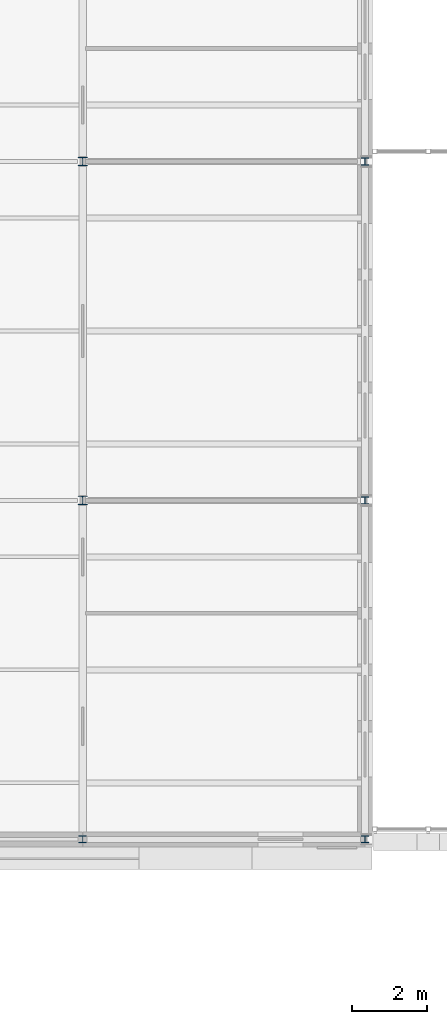
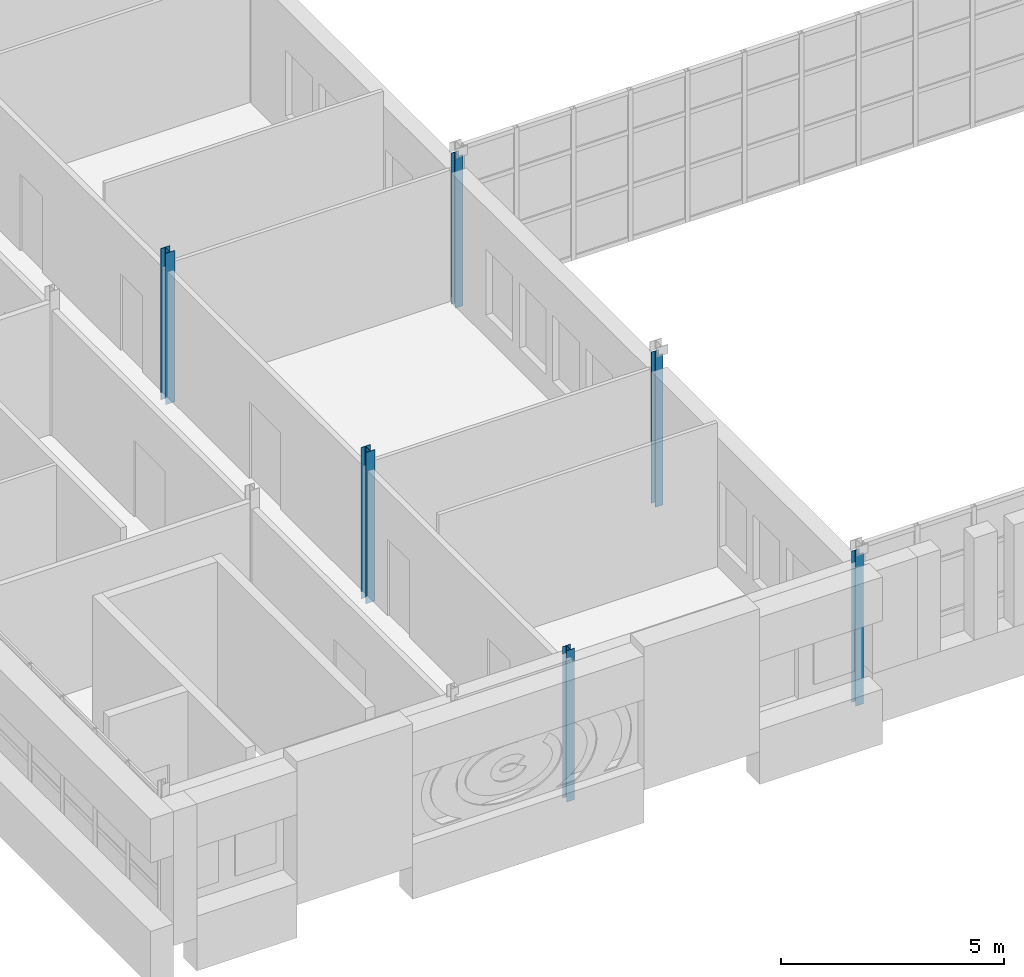
# One storey, part 5 of 154: 6 columns.
"""IFC4 building model written with IfcOpenShell, lengths in metres."""

from ifc_helpers import new_model, si_unit, direction, frame, origin, origin_2d, place, context, subcontext, project, spatial, i_section, extrude, material, material_profile, profile_set, type_object, element, save


model = new_model("IFC4")

# Units and contexts
model_context = context("Model", 3, precision=1e-05, world=origin(), true_north=direction((0.0, 1.0)))
body_context = subcontext(model_context, "Body", "Model", "MODEL_VIEW")
ifc_project = project(units=[si_unit("LENGTHUNIT", "METRE"), si_unit("AREAUNIT", "SQUARE_METRE"), si_unit("VOLUMEUNIT", "CUBIC_METRE"), si_unit("PLANEANGLEUNIT", "RADIAN"), si_unit("MASSUNIT", "GRAM", prefix="KILO")], contexts=[model_context])

# Site, building, storey
site_placement = place(None, origin())
site = spatial("IfcSite", under=ifc_project, at=site_placement, CompositionType="ELEMENT")
building_placement = place(site_placement, origin())
building = spatial("IfcBuilding", under=site, at=building_placement, Name="Golden Quay Civic Hall", CompositionType="ELEMENT")
storey_placement = place(building_placement, frame((0.0, 0.0, 14.39990234375)))
storey = spatial("IfcBuildingStorey", under=building, at=storey_placement, Name="L03", CompositionType="ELEMENT", Elevation=14.39990234375)

# Columns
ifc_material_1 = material(Name="Steel S355", Category="steel")
ifc_material_profile_1 = material_profile(ifc_material_1, i_section(OverallWidth=0.199951171875, OverallDepth=0.18994140625, WebThickness=0.006591796875, FlangeThickness=0.010009765625, FilletRadius=0.01806640625, at=origin_2d()), Name="HEA 200")
ifc_profile_set_1 = profile_set([ifc_material_profile_1], Name="Steel S355")
column_type_1 = type_object("IfcColumnType", Name="Steel column HEA 200", PredefinedType="COLUMN", material=ifc_profile_set_1)
for number, where, z_axis, x_axis, name in (
    (1, (64.5, 0.0, -0.199951171875), (0.0, 0.0, 1.0), (1.0, 0.0, 0.0), "Column 64.5/0 L03"),
    (2, (72.0, 0.0, -0.199951171875), (0.0, 0.0, 1.0), (1.0, 0.0, 0.0), "Column 72/0 L03"),
    (3, (72.0, 9.0, -0.199951171875), (0.0, 0.0, 1.0), (1.0, 0.0, 0.0), "Column 72/9 L03"),
    (4, (72.0, 18.0, -0.199951171875), (0.0, 0.0, 1.0), (1.0, 0.0, 0.0), "Column 72/18 L03"),
):
    element("IfcColumn", number, at=place(storey_placement, frame(where, z_axis=z_axis, x_axis=x_axis)), inside=storey, type_object=column_type_1, Name=name, PredefinedType="COLUMN", context=body_context, shape_type="SweptSolid", body=[
        extrude(i_section(OverallWidth=0.199951171875, OverallDepth=0.18994140625, WebThickness=0.006591796875, FlangeThickness=0.010009765625, FilletRadius=0.01806640625, at=origin_2d()), origin(), (0.0, 0.0, 1.0), 4.150146484375),
    ])
ifc_material_2 = material(Name="Steel S355", Category="steel")
ifc_material_profile_2 = material_profile(ifc_material_2, i_section(OverallWidth=0.239990234375, OverallDepth=0.22998046875, WebThickness=0.007568359375, FlangeThickness=0.011962890625, FilletRadius=0.02099609375, at=origin_2d()), Name="HEA 240")
ifc_profile_set_2 = profile_set([ifc_material_profile_2], Name="Steel S355")
column_type_2 = type_object("IfcColumnType", Name="Steel column HEA 240", PredefinedType="COLUMN", material=ifc_profile_set_2)
for number, where, z_axis, x_axis, name in (
    (5, (64.5, 9.0, -0.199951171875), (0.0, 0.0, 1.0), (1.0, 0.0, 0.0), "Column 64.5/9 L03"),
    (6, (64.5, 18.0, -0.199951171875), (0.0, 0.0, 1.0), (1.0, 0.0, 0.0), "Column 64.5/18 L03"),
):
    element("IfcColumn", number, at=place(storey_placement, frame(where, z_axis=z_axis, x_axis=x_axis)), inside=storey, type_object=column_type_2, Name=name, PredefinedType="COLUMN", context=body_context, shape_type="SweptSolid", body=[
        extrude(i_section(OverallWidth=0.239990234375, OverallDepth=0.22998046875, WebThickness=0.007568359375, FlangeThickness=0.011962890625, FilletRadius=0.02099609375, at=origin_2d()), origin(), (0.0, 0.0, 1.0), 4.150146484375),
    ])

save(model, "model.ifc")
